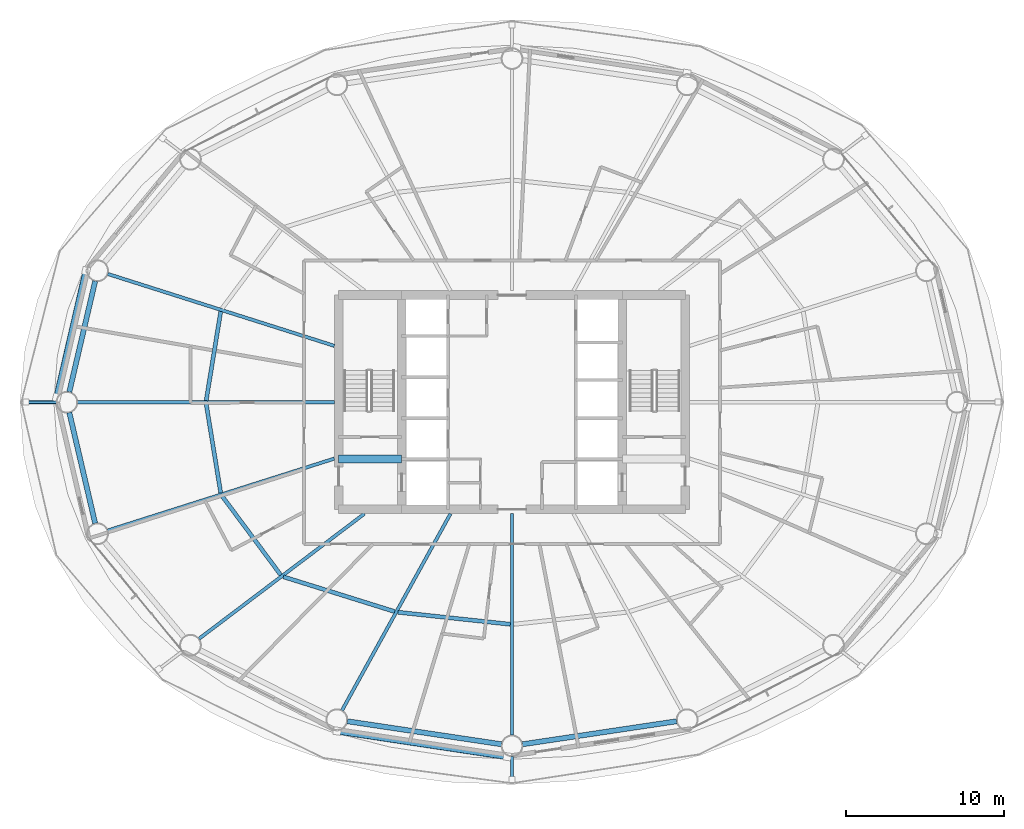
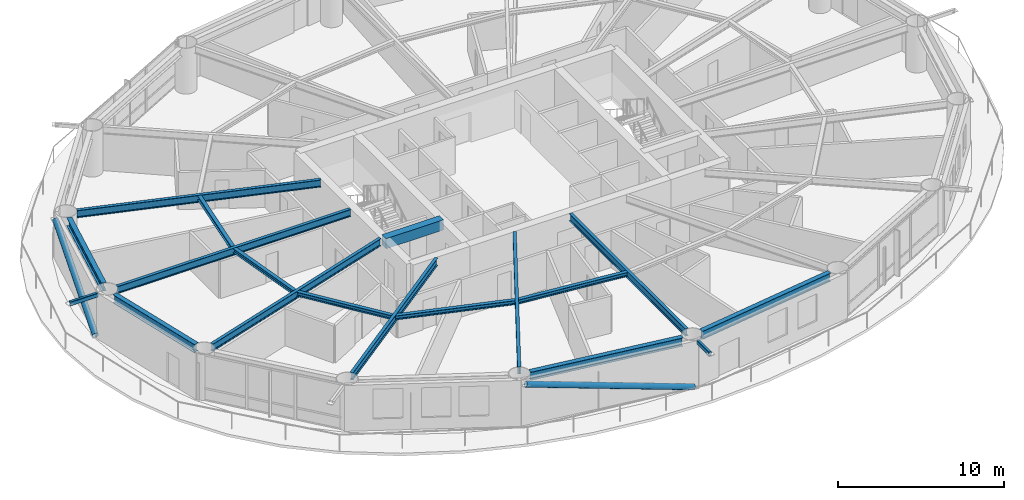
# One storey, part 3 of 24: 16 beams, 4 members.
"""IFC4 building model written with IfcOpenShell, lengths in metres."""

from ifc_helpers import new_model, si_unit, direction, frame, origin, origin_2d, place, context, subcontext, project, spatial, rectangle, hollow_rectangle, hollow_circle, i_section, extrude, material, material_profile, profile_set, type_object, element, save


model = new_model("IFC4")

# Units and contexts
model_context = context("Model", 3, precision=1e-05, world=origin(), true_north=direction((0.0, 1.0)))
body_context = subcontext(model_context, "Body", "Model", "MODEL_VIEW")
ifc_project = project(units=[si_unit("LENGTHUNIT", "METRE"), si_unit("AREAUNIT", "SQUARE_METRE"), si_unit("VOLUMEUNIT", "CUBIC_METRE"), si_unit("PLANEANGLEUNIT", "RADIAN"), si_unit("MASSUNIT", "GRAM", prefix="KILO")], contexts=[model_context])

# Site, building, storey
site_placement = place(None, origin())
site = spatial("IfcSite", under=ifc_project, at=site_placement, CompositionType="ELEMENT")
building_placement = place(site_placement, origin())
building = spatial("IfcBuilding", under=site, at=building_placement, Name="Sarneth Arch Tower", CompositionType="ELEMENT")
storey_placement = place(building_placement, frame((0.0, 0.0, 87.60009765625)))
storey = spatial("IfcBuildingStorey", under=building, at=storey_placement, Name="L21", CompositionType="ELEMENT", Elevation=87.60009765625)

# Beams
ifc_material_1 = material(Name="Steel S355", Category="steel")
ifc_material_profile_1 = material_profile(ifc_material_1, i_section(OverallWidth=0.25390625, OverallDepth=0.305908203125, WebThickness=0.0087890625, FlangeThickness=0.0146484375, FilletRadius=0.014892578125, at=origin_2d()), Name="W310x79")
ifc_profile_set_1 = profile_set([ifc_material_profile_1], Name="Steel S355")
beam_type_1 = type_object("IfcBeamType", Name="BM-JOIST-310A", PredefinedType="JOIST", material=ifc_profile_set_1)
for number, where, z_axis, x_axis, name in (
    (1, (29.521484375, 47.75390625, 3.226806640625), (-0.16120310833, -0.986921252109, 0.0), (0.986921252109, -0.16120310833, 0.0), "L21 Secondary floor joist 08"),
    (2, (28.5986328125, 41.89599609375, 3.226806640625), (0.16120310833, -0.986921252109, 0.0), (0.986921252109, 0.16120310833, 0.0), "L21 Secondary floor joist 09"),
):
    element("IfcBeam", number, at=place(storey_placement, frame(where, z_axis=z_axis, x_axis=x_axis)), inside=storey, type_object=beam_type_1, Name=name, PredefinedType="JOIST", context=body_context, shape_type="SweptSolid", body=[
        extrude(i_section(OverallWidth=0.25390625, OverallDepth=0.305908203125, WebThickness=0.0087890625, FlangeThickness=0.0146484375, FilletRadius=0.014892578125, at=origin_2d()), origin(), (0.0, 0.0, 1.0), 5.724853515625),
    ])
beam_1_placement = place(storey_placement, frame((29.6015625, 36.057373046875, 3.226806640625), z_axis=(0.596354224217, -0.80272139579, 0.0), x_axis=(0.80272139579, 0.596354224217, 0.0)))
element("IfcBeam", 3, at=beam_1_placement, inside=storey, type_object=beam_type_1, Name="L21 Secondary floor joist 10", PredefinedType="JOIST", context=body_context, shape_type="SweptSolid", body=[
    extrude(i_section(OverallWidth=0.25390625, OverallDepth=0.305908203125, WebThickness=0.0087890625, FlangeThickness=0.0146484375, FilletRadius=0.014892578125, at=origin_2d()), origin(), (0.0, 0.0, 1.0), 6.246337890625),
])
beam_2_placement = place(storey_placement, frame((33.490234375, 30.927001953125, 3.226806640625), z_axis=(0.9544870201, -0.298252457594, 0.0), x_axis=(0.298252457594, 0.9544870201, 0.0)))
element("IfcBeam", 4, at=beam_2_placement, inside=storey, type_object=beam_type_1, Name="L21 Secondary floor joist 11", PredefinedType="JOIST", context=body_context, shape_type="SweptSolid", body=[
    extrude(i_section(OverallWidth=0.25390625, OverallDepth=0.305908203125, WebThickness=0.0087890625, FlangeThickness=0.0146484375, FilletRadius=0.014892578125, at=origin_2d()), origin(), (0.0, 0.0, 1.0), 7.40234375),
])
beam_3_placement = place(storey_placement, frame((40.761474609375, 28.676513671875, 3.226806640625), z_axis=(0.99429330851, -0.106680910441, 0.0), x_axis=(0.106680910441, 0.99429330851, 0.0)))
element("IfcBeam", 5, at=beam_3_placement, inside=storey, type_object=beam_type_1, Name="L21 Secondary floor joist 12", PredefinedType="JOIST", context=body_context, shape_type="SweptSolid", body=[
    extrude(i_section(OverallWidth=0.25390625, OverallDepth=0.305908203125, WebThickness=0.0087890625, FlangeThickness=0.0146484375, FilletRadius=0.014892578125, at=origin_2d()), origin(), (0.0, 0.0, 1.0), 7.174560546875),
])
ifc_material_2 = material(Name="Concrete C50/60", Category="concrete")
ifc_material_profile_2 = material_profile(ifc_material_2, rectangle(XDim=0.5, YDim=0.75, at=origin_2d()), Name="RC-500x750")
ifc_profile_set_2 = profile_set([ifc_material_profile_2], Name="Concrete C50/60")
beam_type_2 = type_object("IfcBeamType", Name="BM-LINTEL-RC", PredefinedType="LINTEL", material=ifc_profile_set_2)
beam_4_placement = place(storey_placement, frame((37.0, 38.39990234375, 3.0048828125), z_axis=(1.0, 0.0, 0.0), x_axis=(0.0, 1.0, 0.0)))
element("IfcBeam", 6, at=beam_4_placement, inside=storey, type_object=beam_type_2, Name="L21 Core coupling lintel W", PredefinedType="LINTEL", context=body_context, shape_type="SweptSolid", body=[
    extrude(rectangle(XDim=0.5, YDim=0.75, at=origin_2d()), origin(), (0.0, 0.0, 1.0), 4.0),
])
ifc_material_3 = material(Name="Steel S355", Category="steel")
ifc_material_profile_3 = material_profile(ifc_material_3, i_section(OverallWidth=0.2109375, OverallDepth=0.5390625, WebThickness=0.01171875, FlangeThickness=0.018798828125, FilletRadius=0.01806640625, at=origin_2d()), Name="W530x109")
ifc_profile_set_3 = profile_set([ifc_material_profile_3], Name="Steel S355")
beam_type_3 = type_object("IfcBeamType", Name="BM-RAD-530B", PredefinedType="BEAM", material=ifc_profile_set_3)
beam_5_placement = place(storey_placement, frame((36.72509765625, 45.57763671875, 3.1103515625), z_axis=(-0.95316257761, 0.302458427958, 0.0), x_axis=(-0.302458427958, -0.95316257761, 0.0)))
element("IfcBeam", 7, at=beam_5_placement, inside=storey, type_object=beam_type_3, Name="L21 Radial floor girder 08", PredefinedType="BEAM", context=body_context, shape_type="SweptSolid", body=[
    extrude(i_section(OverallWidth=0.2109375, OverallDepth=0.5390625, WebThickness=0.01171875, FlangeThickness=0.018798828125, FilletRadius=0.01806640625, at=origin_2d()), origin(), (0.0, 0.0, 1.0), 15.0791015625),
])
beam_6_placement = place(storey_placement, frame((36.72509765625, 42.0, 3.1103515625), z_axis=(-1.0, 0.0, 0.0), x_axis=(0.0, -1.0, 0.0)))
element("IfcBeam", 8, at=beam_6_placement, inside=storey, type_object=beam_type_3, Name="L21 Radial floor girder 09", PredefinedType="BEAM", context=body_context, shape_type="SweptSolid", body=[
    extrude(i_section(OverallWidth=0.2109375, OverallDepth=0.5390625, WebThickness=0.01171875, FlangeThickness=0.018798828125, FilletRadius=0.01806640625, at=origin_2d()), origin(), (0.0, 0.0, 1.0), 16.28662109375),
])
beam_7_placement = place(storey_placement, frame((36.72509765625, 38.42236328125, 3.1103515625), z_axis=(-0.95316257761, -0.302458427958, 0.0), x_axis=(0.302458427958, -0.95316257761, 0.0)))
element("IfcBeam", 9, at=beam_7_placement, inside=storey, type_object=beam_type_3, Name="L21 Radial floor girder 10", PredefinedType="BEAM", context=body_context, shape_type="SweptSolid", body=[
    extrude(i_section(OverallWidth=0.2109375, OverallDepth=0.5390625, WebThickness=0.01171875, FlangeThickness=0.018798828125, FilletRadius=0.01806640625, at=origin_2d()), origin(), (0.0, 0.0, 1.0), 15.0791015625),
])
beam_8_placement = place(storey_placement, frame((38.63818359375, 34.925048828125, 3.1103515625), z_axis=(-0.797801476102, -0.602920230818, 0.0), x_axis=(0.602920230818, -0.797801476102, 0.0)))
element("IfcBeam", 10, at=beam_8_placement, inside=storey, type_object=beam_type_3, Name="L21 Radial floor girder 11", PredefinedType="BEAM", context=body_context, shape_type="SweptSolid", body=[
    extrude(i_section(OverallWidth=0.2109375, OverallDepth=0.5390625, WebThickness=0.01171875, FlangeThickness=0.018798828125, FilletRadius=0.01806640625, at=origin_2d()), origin(), (0.0, 0.0, 1.0), 13.15771484375),
])
beam_9_placement = place(storey_placement, frame((44.09716796875, 34.925048828125, 3.1103515625), z_axis=(-0.48301301286, -0.875613173387, 0.0), x_axis=(0.875613173387, -0.48301301286, 0.0)))
element("IfcBeam", 11, at=beam_9_placement, inside=storey, type_object=beam_type_3, Name="L21 Radial floor girder 12", PredefinedType="BEAM", context=body_context, shape_type="SweptSolid", body=[
    extrude(i_section(OverallWidth=0.2109375, OverallDepth=0.5390625, WebThickness=0.01171875, FlangeThickness=0.018798828125, FilletRadius=0.01806640625, at=origin_2d()), origin(), (0.0, 0.0, 1.0), 14.246826171875),
])
beam_10_placement = place(storey_placement, frame((48.0, 34.925048828125, 3.1103515625), z_axis=(0.0, -1.0, 0.0), x_axis=(1.0, 0.0, 0.0)))
element("IfcBeam", 12, at=beam_10_placement, inside=storey, type_object=beam_type_3, Name="L21 Radial floor girder 13", PredefinedType="BEAM", context=body_context, shape_type="SweptSolid", body=[
    extrude(i_section(OverallWidth=0.2109375, OverallDepth=0.5390625, WebThickness=0.01171875, FlangeThickness=0.018798828125, FilletRadius=0.01806640625, at=origin_2d()), origin(), (0.0, 0.0, 1.0), 14.050048828125),
])
ifc_material_4 = material(Name="Steel S355", Category="steel")
ifc_material_profile_4 = material_profile(ifc_material_4, i_section(OverallWidth=0.323974609375, OverallDepth=0.611083984375, WebThickness=0.0126953125, FlangeThickness=0.01904296875, FilletRadius=0.01904296875, at=origin_2d()), Name="W610x155")
ifc_profile_set_4 = profile_set([ifc_material_profile_4], Name="Steel S355")
beam_type_4 = type_object("IfcBeamType", Name="BM-SPAN-610B", PredefinedType="SPANDREL", material=ifc_profile_set_4)
for number, where, z_axis, x_axis, name in (
    (13, (21.555419921875, 49.68505859375, 3.074462890625), (-0.22708522689, -0.973874889156, 0.0), (0.973874889156, -0.22708522689, 0.0), "L21 Perimeter spandrel beam 08"),
    (14, (19.916748046875, 41.342529296875, 3.074462890625), (0.22708522689, -0.973874889156, 0.0), (0.973874889156, 0.22708522689, 0.0), "L21 Perimeter spandrel beam 09"),
):
    element("IfcBeam", number, at=place(storey_placement, frame(where, z_axis=z_axis, x_axis=x_axis)), inside=storey, type_object=beam_type_4, Name=name, PredefinedType="SPANDREL", context=body_context, shape_type="SweptSolid", body=[
        extrude(i_section(OverallWidth=0.323974609375, OverallDepth=0.611083984375, WebThickness=0.0126953125, FlangeThickness=0.01904296875, FilletRadius=0.01904296875, at=origin_2d()), origin(), (0.0, 0.0, 1.0), 7.216064453125),
    ])
for number, where, z_axis, x_axis, name in (
    (15, (37.557373046875, 21.759765625, 3.074462890625), (0.989029828744, -0.147715936359, 0.0), (0.147715936359, 0.989029828744, 0.0), "L21 Perimeter spandrel beam 12"),
    (16, (48.66748046875, 20.2998046875, 3.074462890625), (0.989029828744, 0.147715936359, 0.0), (-0.147715936359, 0.989029828744, 0.0), "L21 Perimeter spandrel beam 13"),
):
    element("IfcBeam", number, at=place(storey_placement, frame(where, z_axis=z_axis, x_axis=x_axis)), inside=storey, type_object=beam_type_4, Name=name, PredefinedType="SPANDREL", context=body_context, shape_type="SweptSolid", body=[
        extrude(i_section(OverallWidth=0.323974609375, OverallDepth=0.611083984375, WebThickness=0.0126953125, FlangeThickness=0.01904296875, FilletRadius=0.01904296875, at=origin_2d()), origin(), (0.0, 0.0, 1.0), 9.883544921875),
    ])

# Members
ifc_material_5 = material(Name="Steel S355", Category="steel")
ifc_material_profile_5 = material_profile(ifc_material_5, hollow_rectangle(XDim=0.199951171875, YDim=0.300048828125, WallThickness=0.012451171875, InnerFilletRadius=0.018798828125, OuterFilletRadius=0.03125, at=origin_2d()), Name="RHS300x200x12.5")
ifc_profile_set_5 = profile_set([ifc_material_profile_5], Name="Steel S355")
member_type_1 = type_object("IfcMemberType", Name="MEM-CANT-STRUT", PredefinedType="STRUT", material=ifc_profile_set_5)
member_1_placement = place(storey_placement, frame((19.08837890625, 42.0, 3.219970703125), z_axis=(-1.0, 0.0, 0.0), x_axis=(0.0, -1.0, 0.0)))
element("IfcMember", 17, at=member_1_placement, inside=storey, type_object=member_type_1, Name="L21 Balcony cantilever bracket 09", PredefinedType="STRUT", context=body_context, shape_type="SweptSolid", body=[
    extrude(hollow_rectangle(XDim=0.199951171875, YDim=0.300048828125, WallThickness=0.012451171875, InnerFilletRadius=0.018798828125, OuterFilletRadius=0.03125, at=origin_2d()), origin(), (0.0, 0.0, 1.0), 1.927978515625),
])
member_2_placement = place(storey_placement, frame((48.0, 19.52490234375, 3.219970703125), z_axis=(0.0, -1.0, 0.0), x_axis=(1.0, 0.0, 0.0)))
element("IfcMember", 18, at=member_2_placement, inside=storey, type_object=member_type_1, Name="L21 Balcony cantilever bracket 13", PredefinedType="STRUT", context=body_context, shape_type="SweptSolid", body=[
    extrude(hollow_rectangle(XDim=0.199951171875, YDim=0.300048828125, WallThickness=0.012451171875, InnerFilletRadius=0.018798828125, OuterFilletRadius=0.03125, at=origin_2d()), origin(), (0.0, 0.0, 1.0), 1.471923828125),
])
ifc_material_6 = material(Name="Steel S355", Category="steel")
ifc_material_profile_6 = material_profile(ifc_material_6, hollow_circle(Radius=0.202880859375, WallThickness=0.01611328125, at=origin_2d()), Name="CHS406x16")
ifc_profile_set_6 = profile_set([ifc_material_profile_6], Name="Steel S355")
member_type_2 = type_object("IfcMemberType", Name="MEM-DIAG-BR2", PredefinedType="BRACE", material=ifc_profile_set_6)
member_3_placement = place(storey_placement, frame((19.121337890625, 42.292236328125, 0.02001953125), z_axis=(0.211847747194, 0.915855506945, 0.341070700013), x_axis=(-0.974275349464, 0.225360918143, 0.0)))
element("IfcMember", 19, at=member_3_placement, inside=storey, type_object=member_type_2, Name="L21 Perimeter frame diagonal 08", PredefinedType="BRACE", context=body_context, shape_type="SweptSolid", body=[
    extrude(hollow_circle(Radius=0.202880859375, WallThickness=0.01611328125, at=origin_2d()), origin(), (0.0, 0.0, 1.0), 8.77587890625),
])
member_4_placement = place(storey_placement, frame((47.703369140625, 19.5146484375, 0.02001953125), z_axis=(-0.95366207304, 0.143606787372, 0.264396938456), x_axis=(-0.148905755657, -0.988851392239, 0.0)))
element("IfcMember", 20, at=member_4_placement, inside=storey, type_object=member_type_2, Name="L21 Perimeter frame diagonal 12", PredefinedType="BRACE", context=body_context, shape_type="SweptSolid", body=[
    extrude(hollow_circle(Radius=0.202880859375, WallThickness=0.01611328125, at=origin_2d()), origin(), (0.0, 0.0, 1.0), 11.32080078125),
])

save(model, "model.ifc")
